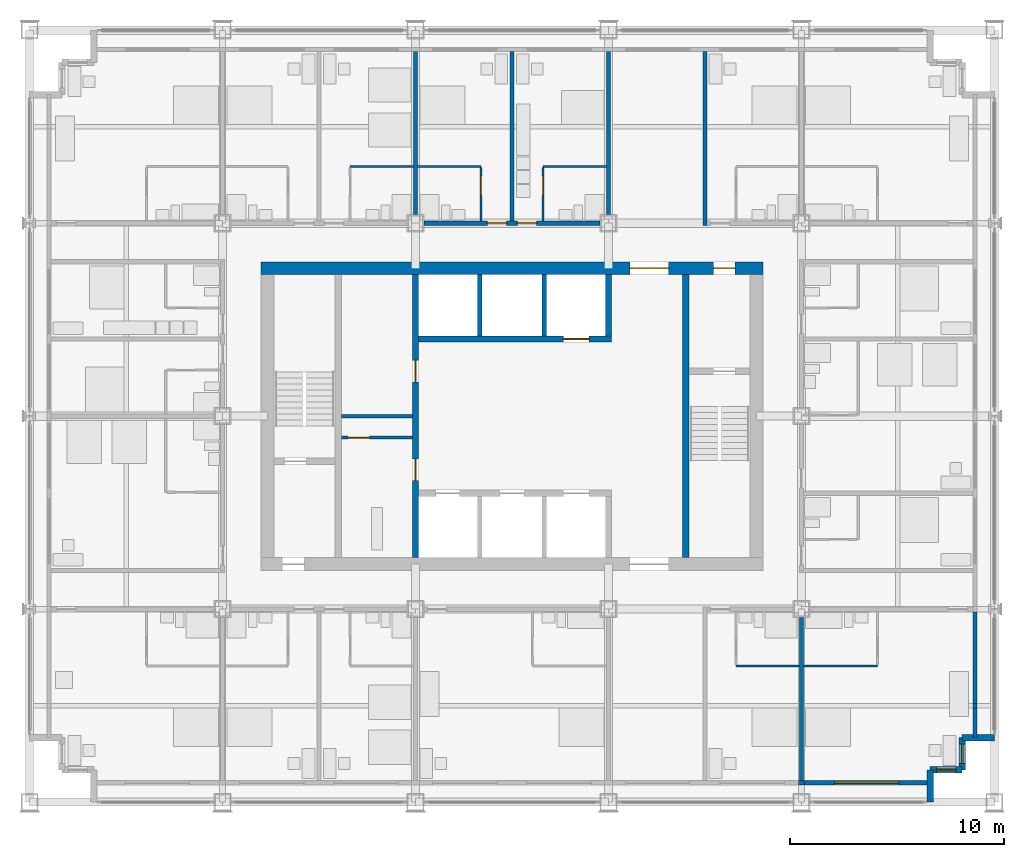
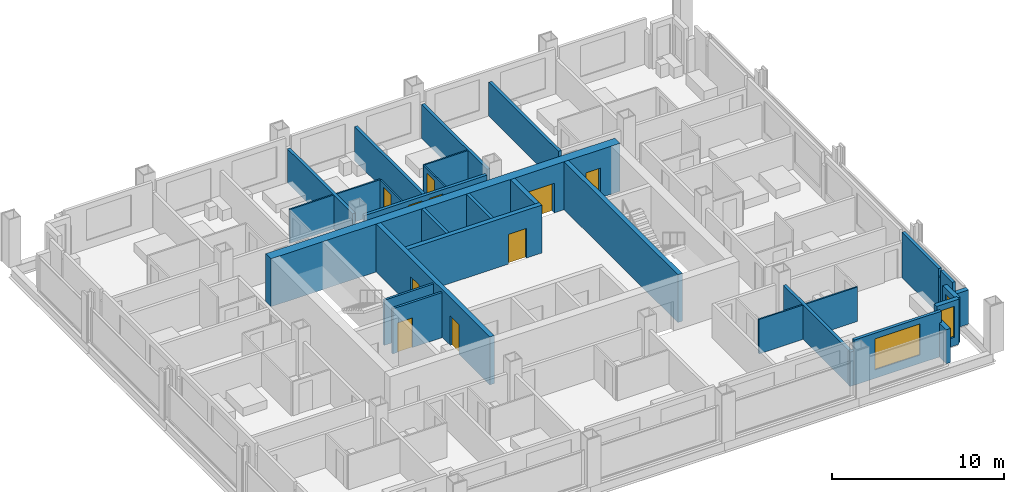
# One storey, part 11 of 17: 31 walls, 10 doors, 3 windows, 13 openings.
"""IFC4 building model written with IfcOpenShell, lengths in metres."""

from ifc_helpers import new_model, si_unit, direction, frame, frame_2d, origin, place, context, subcontext, project, spatial, rectangle, extrude, material, layer, layer_set, type_object, element, fill, save


model = new_model("IFC4")

# Units and contexts
model_context = context("Model", 3, precision=1e-05, world=origin(), true_north=direction((0.0, 1.0)))
body_context = subcontext(model_context, "Body", "Model", "MODEL_VIEW")
ifc_project = project(units=[si_unit("LENGTHUNIT", "METRE"), si_unit("AREAUNIT", "SQUARE_METRE"), si_unit("VOLUMEUNIT", "CUBIC_METRE"), si_unit("PLANEANGLEUNIT", "RADIAN"), si_unit("MASSUNIT", "GRAM", prefix="KILO")], contexts=[model_context])

# Site, building, storey
site_placement = place(None, origin())
site = spatial("IfcSite", under=ifc_project, at=site_placement, CompositionType="ELEMENT")
building_placement = place(site_placement, origin())
building = spatial("IfcBuilding", under=site, at=building_placement, Name="Loomwork Tower", CompositionType="ELEMENT")
storey_placement = place(building_placement, frame((0.0, 0.0, 138.39990234375)))
storey = spatial("IfcBuildingStorey", under=building, at=storey_placement, Name="L37", CompositionType="ELEMENT", Elevation=138.39990234375)

# Wall, openings, doors
ifc_material_1 = material(Name="Concrete 14000 psi (97 MPa)", Category="concrete")
ifc_layer_1 = layer(ifc_material_1, 0.300048828125)
ifc_layer_set_1 = layer_set([ifc_layer_1], Name="Core shear wall 300")
wall_type_1 = type_object("IfcWallType", Name="Core shear wall 300", PredefinedType="SHEAR", material=ifc_layer_set_1)
wall_1_placement = place(storey_placement, frame((18.0, 11.39990234375, 0.0), z_axis=(0.0, 0.0, 1.0), x_axis=(0.0, 1.0, 0.0)))
wall_1 = element("IfcWall", 1, at=wall_1_placement, inside=storey, type_object=wall_type_1, Name="Lobby west wall L37", PredefinedType="SHEAR", context=body_context, shape_type="SweptSolid", body=[
    extrude(rectangle(XDim=13.2001953125, YDim=0.300048828125, at=frame_2d((6.60009765625, 0.0))), origin(), (0.0, 0.0, 1.0), 3.400146484375),
])
opening_1_placement = place(wall_1_placement, frame((3.60009765625, 0.0, 0.0)))
opening_1 = element("IfcOpeningElement", 2, at=opening_1_placement, cuts=wall_1, Name="Opening D5", PredefinedType="OPENING", context=body_context, shape_type="SweptSolid", body=[
    extrude(rectangle(XDim=1.0, YDim=2.10009765625, at=frame_2d((0.5, 1.050048828125))), frame((0.0, 0.159912109375, 0.0), z_axis=(0.0, -1.0, 0.0), x_axis=(1.0, 0.0, 0.0)), (0.0, 0.0, 1.0), 0.320068359375),
])
opening_2_placement = place(wall_1_placement, frame((8.199951171875, 0.0, 0.0)))
opening_2 = element("IfcOpeningElement", 3, at=opening_2_placement, cuts=wall_1, Name="Opening D5", PredefinedType="OPENING", context=body_context, shape_type="SweptSolid", body=[
    extrude(rectangle(XDim=1.0, YDim=2.10009765625, at=frame_2d((0.5, 1.050048828125))), frame((0.0, 0.159912109375, 0.0), z_axis=(0.0, -1.0, 0.0), x_axis=(1.0, 0.0, 0.0)), (0.0, 0.0, 1.0), 0.320068359375),
])
ifc_material_2 = material(Name="Hollow metal door and frame")
door_type_1 = type_object("IfcDoorType", Name="Service door 1000", OperationType="SINGLE_SWING_LEFT", PredefinedType="DOOR", material=ifc_material_2)
door_1_placement = place(opening_1_placement, origin())
door_1 = element("IfcDoor", 4, at=door_1_placement, inside=storey, type_object=door_type_1, Name="Back-of-house door south", OperationType="SINGLE_SWING_LEFT", OverallHeight=2.10009765625, OverallWidth=1.0, PredefinedType="DOOR", context=body_context, shape_type="SweptSolid", body=[
    extrude(rectangle(XDim=1.0, YDim=2.10009765625, at=frame_2d((0.5, 1.050048828125))), frame((0.0, 0.02490234375, 0.0), z_axis=(0.0, -1.0, 0.0), x_axis=(1.0, 0.0, 0.0)), (0.0, 0.0, 1.0), 0.050048828125),
])
fill(opening_1, door_1)
door_2_placement = place(opening_2_placement, origin())
door_2 = element("IfcDoor", 5, at=door_2_placement, inside=storey, type_object=door_type_1, Name="Back-of-house door north", OperationType="SINGLE_SWING_RIGHT", OverallHeight=2.10009765625, OverallWidth=1.0, PredefinedType="DOOR", context=body_context, shape_type="SweptSolid", body=[
    extrude(rectangle(XDim=1.0, YDim=2.10009765625, at=frame_2d((0.5, 1.050048828125))), frame((0.0, 0.02490234375, 0.0), z_axis=(0.0, -1.0, 0.0), x_axis=(1.0, 0.0, 0.0)), (0.0, 0.0, 1.0), 0.050048828125),
])
fill(opening_2, door_2)

# Wall, opening, door
wall_2_placement = place(storey_placement, frame((18.14990234375, 21.60009765625, 0.0), z_axis=(0.0, 0.0, 1.0), x_axis=(1.0, 0.0, 0.0)))
wall_2 = element("IfcWall", 6, at=wall_2_placement, inside=storey, type_object=wall_type_1, Name="Lift front wall north L37", PredefinedType="SHEAR", context=body_context, shape_type="SweptSolid", body=[
    extrude(rectangle(XDim=9.0, YDim=0.300048828125, at=frame_2d((4.5, 0.0))), origin(), (0.0, 0.0, 1.0), 3.400146484375),
])
opening_3_placement = place(wall_2_placement, frame((6.75, 0.0, 0.0)))
opening_3 = element("IfcOpeningElement", 7, at=opening_3_placement, cuts=wall_2, Name="Opening LD2", PredefinedType="OPENING", context=body_context, shape_type="SweptSolid", body=[
    extrude(rectangle(XDim=1.199951171875, YDim=2.10009765625, at=frame_2d((0.60009765625, 1.050048828125))), frame((0.0, 0.159912109375, 0.0), z_axis=(0.0, -1.0, 0.0), x_axis=(1.0, 0.0, 0.0)), (0.0, 0.0, 1.0), 0.320068359375),
])
ifc_material_3 = material(Name="Hollow metal door and frame")
door_type_2 = type_object("IfcDoorType", Name="Lift landing door 1200", OperationType="SLIDING_TO_LEFT", PredefinedType="DOOR", material=ifc_material_3)
door_3_placement = place(opening_3_placement, origin())
door_3 = element("IfcDoor", 8, at=door_3_placement, inside=storey, type_object=door_type_2, Name="Lift landing door LF2", OperationType="SLIDING_TO_LEFT", OverallHeight=2.10009765625, OverallWidth=1.199951171875, PredefinedType="DOOR", context=body_context, shape_type="SweptSolid", body=[
    extrude(rectangle(XDim=1.199951171875, YDim=2.10009765625, at=frame_2d((0.60009765625, 1.050048828125))), frame((0.0, 0.02490234375, 0.0), z_axis=(0.0, -1.0, 0.0), x_axis=(1.0, 0.0, 0.0)), (0.0, 0.0, 1.0), 0.050048828125),
])
fill(opening_3, door_3)

# Walls
wall_3_placement = place(storey_placement, frame((27.0, 21.75, 0.0), z_axis=(0.0, 0.0, 1.0), x_axis=(0.0, 1.0, 0.0)))
element("IfcWall", 9, at=wall_3_placement, inside=storey, type_object=wall_type_1, Name="Lift shaft end wall north L37", PredefinedType="SHEAR", context=body_context, shape_type="SweptSolid", body=[
    extrude(rectangle(XDim=2.85009765625, YDim=0.300048828125, at=frame_2d((1.425048828125, 0.0))), origin(), (0.0, 0.0, 1.0), 3.400146484375),
])
wall_4_placement = place(storey_placement, frame((30.60009765625, 11.39990234375, 0.0), z_axis=(0.0, 0.0, 1.0), x_axis=(0.0, 1.0, 0.0)))
element("IfcWall", 10, at=wall_4_placement, inside=storey, type_object=wall_type_1, Name="Stair B west wall L37", PredefinedType="SHEAR", context=body_context, shape_type="SweptSolid", body=[
    extrude(rectangle(XDim=13.2001953125, YDim=0.300048828125, at=frame_2d((6.60009765625, 0.0))), origin(), (0.0, 0.0, 1.0), 3.400146484375),
])

# Wall, openings, doors
ifc_material_4 = material(Name="Concrete 14000 psi (97 MPa)", Category="concrete")
ifc_layer_2 = layer(ifc_material_4, 0.60009765625)
ifc_layer_set_2 = layer_set([ifc_layer_2], Name="Core shear wall 600")
wall_type_2 = type_object("IfcWallType", Name="Core shear wall 600", PredefinedType="SHEAR", material=ifc_layer_set_2)
wall_5_placement = place(storey_placement, frame((10.800048828125, 24.89990234375, 0.0), z_axis=(0.0, 0.0, 1.0), x_axis=(1.0, 0.0, 0.0)))
wall_5 = element("IfcWall", 11, at=wall_5_placement, inside=storey, type_object=wall_type_2, Name="Core wall north L37", PredefinedType="SHEAR", context=body_context, shape_type="SweptSolid", body=[
    extrude(rectangle(XDim=23.39990234375, YDim=0.60009765625, at=frame_2d((11.699951171875, 0.0))), origin(), (0.0, 0.0, 1.0), 3.400146484375),
])
opening_4_placement = place(wall_5_placement, frame((17.199951171875, 0.0, 0.0)))
opening_4 = element("IfcOpeningElement", 12, at=opening_4_placement, cuts=wall_5, Name="Opening D6", PredefinedType="OPENING", context=body_context, shape_type="SweptSolid", body=[
    extrude(rectangle(XDim=1.800048828125, YDim=2.10009765625, at=frame_2d((0.89990234375, 1.050048828125))), frame((0.0, 0.31005859375, 0.0), z_axis=(0.0, -1.0, 0.0), x_axis=(1.0, 0.0, 0.0)), (0.0, 0.0, 1.0), 0.6201171875),
])
opening_5_placement = place(wall_5_placement, frame((21.10009765625, 0.0, 0.0)))
opening_5 = element("IfcOpeningElement", 13, at=opening_5_placement, cuts=wall_5, Name="Opening D4", PredefinedType="OPENING", context=body_context, shape_type="SweptSolid", body=[
    extrude(rectangle(XDim=1.0, YDim=2.10009765625, at=frame_2d((0.5, 1.050048828125))), frame((0.0, 0.31005859375, 0.0), z_axis=(0.0, -1.0, 0.0), x_axis=(1.0, 0.0, 0.0)), (0.0, 0.0, 1.0), 0.6201171875),
])
ifc_material_5 = material(Name="Hollow metal door and frame")
door_type_3 = type_object("IfcDoorType", Name="Lobby passage double door 1800", OperationType="DOUBLE_DOOR_SINGLE_SWING", PredefinedType="DOOR", material=ifc_material_5)
door_4_placement = place(opening_4_placement, frame((1.800048828125, 0.0, 0.0), z_axis=(0.0, 0.0, 1.0), x_axis=(-1.0, 0.0, 0.0)))
door_4 = element("IfcDoor", 14, at=door_4_placement, inside=storey, type_object=door_type_3, Name="Lobby passage door north", OperationType="DOUBLE_DOOR_SINGLE_SWING", OverallHeight=2.10009765625, OverallWidth=1.800048828125, PredefinedType="DOOR", context=body_context, shape_type="SweptSolid", body=[
    extrude(rectangle(XDim=1.800048828125, YDim=2.10009765625, at=frame_2d((0.89990234375, 1.050048828125))), frame((0.0, 0.02490234375, 0.0), z_axis=(0.0, -1.0, 0.0), x_axis=(1.0, 0.0, 0.0)), (0.0, 0.0, 1.0), 0.050048828125),
])
fill(opening_4, door_4)
ifc_material_6 = material(Name="Hollow metal door and frame")
door_type_4 = type_object("IfcDoorType", Name="Stair door 1000", OperationType="SINGLE_SWING_RIGHT", PredefinedType="DOOR", material=ifc_material_6)
door_5_placement = place(opening_5_placement, frame((1.0, 0.0, 0.0), z_axis=(0.0, 0.0, 1.0), x_axis=(-1.0, 0.0, 0.0)))
door_5 = element("IfcDoor", 15, at=door_5_placement, inside=storey, type_object=door_type_4, Name="Stair B vestibule door", OperationType="SINGLE_SWING_LEFT", OverallHeight=2.10009765625, OverallWidth=1.0, PredefinedType="DOOR", context=body_context, shape_type="SweptSolid", body=[
    extrude(rectangle(XDim=1.0, YDim=2.10009765625, at=frame_2d((0.5, 1.050048828125))), frame((0.0, 0.02490234375, 0.0), z_axis=(0.0, -1.0, 0.0), x_axis=(1.0, 0.0, 0.0)), (0.0, 0.0, 1.0), 0.050048828125),
])
fill(opening_5, door_5)

ifc_material_7 = material(Name="Gypsum board on steel studs, one-hour", Category="steel")
ifc_layer_3 = layer(ifc_material_7, 0.199951171875)
ifc_layer_set_3 = layer_set([ifc_layer_3], Name="Corridor wall 200")
wall_type_3 = type_object("IfcWallType", Name="Corridor wall 200", PredefinedType="PARTITIONING", material=ifc_layer_set_3)
wall_6_placement = place(storey_placement, frame((18.39990234375, 27.0, 0.0), z_axis=(0.0, 0.0, 1.0), x_axis=(1.0, 0.0, 0.0)))
wall_6 = element("IfcWall", 16, at=wall_6_placement, inside=storey, type_object=wall_type_3, Name="North corridor wall 3", PredefinedType="PARTITIONING", context=body_context, shape_type="SweptSolid", body=[
    extrude(rectangle(XDim=8.2001953125, YDim=0.199951171875, at=frame_2d((4.10009765625, 0.0))), origin(), (0.0, 0.0, 1.0), 2.405029296875),
])
opening_6_placement = place(wall_6_placement, frame((2.949951171875, 0.0, 0.0)))
opening_6 = element("IfcOpeningElement", 17, at=opening_6_placement, cuts=wall_6, Name="Opening D1", PredefinedType="OPENING", context=body_context, shape_type="SweptSolid", body=[
    extrude(rectangle(XDim=0.89990234375, YDim=2.10009765625, at=frame_2d((0.449951171875, 1.050048828125))), frame((0.0, 0.10986328125, 0.0), z_axis=(0.0, -1.0, 0.0), x_axis=(1.0, 0.0, 0.0)), (0.0, 0.0, 1.0), 0.219970703125),
])
opening_7_placement = place(wall_6_placement, frame((4.35009765625, 0.0, 0.0)))
opening_7 = element("IfcOpeningElement", 18, at=opening_7_placement, cuts=wall_6, Name="Opening D1", PredefinedType="OPENING", context=body_context, shape_type="SweptSolid", body=[
    extrude(rectangle(XDim=0.89990234375, YDim=2.10009765625, at=frame_2d((0.449951171875, 1.050048828125))), frame((0.0, 0.10986328125, 0.0), z_axis=(0.0, -1.0, 0.0), x_axis=(1.0, 0.0, 0.0)), (0.0, 0.0, 1.0), 0.219970703125),
])
ifc_material_8 = material(Name="Hollow metal door and frame")
door_type_5 = type_object("IfcDoorType", Name="Guest room entry door 900", OperationType="SINGLE_SWING_LEFT", PredefinedType="DOOR", material=ifc_material_8)
door_6_placement = place(opening_6_placement, origin())
door_6 = element("IfcDoor", 19, at=door_6_placement, inside=storey, type_object=door_type_5, Name="Guest room entry door L37 10", OperationType="SINGLE_SWING_RIGHT", OverallHeight=2.10009765625, OverallWidth=0.89990234375, PredefinedType="DOOR", context=body_context, shape_type="SweptSolid", body=[
    extrude(rectangle(XDim=0.89990234375, YDim=2.10009765625, at=frame_2d((0.449951171875, 1.050048828125))), frame((0.0, 0.02490234375, 0.0), z_axis=(0.0, -1.0, 0.0), x_axis=(1.0, 0.0, 0.0)), (0.0, 0.0, 1.0), 0.050048828125),
])
fill(opening_6, door_6)
door_7_placement = place(opening_7_placement, origin())
door_7 = element("IfcDoor", 20, at=door_7_placement, inside=storey, type_object=door_type_5, Name="Guest room entry door L37 11", OperationType="SINGLE_SWING_LEFT", OverallHeight=2.10009765625, OverallWidth=0.89990234375, PredefinedType="DOOR", context=body_context, shape_type="SweptSolid", body=[
    extrude(rectangle(XDim=0.89990234375, YDim=2.10009765625, at=frame_2d((0.449951171875, 1.050048828125))), frame((0.0, 0.02490234375, 0.0), z_axis=(0.0, -1.0, 0.0), x_axis=(1.0, 0.0, 0.0)), (0.0, 0.0, 1.0), 0.050048828125),
])
fill(opening_7, door_7)

# Walls
ifc_material_9 = material(Name="Cement board on steel studs", Category="steel")
ifc_layer_4 = layer(ifc_material_9, 0.10009765625)
ifc_layer_set_4 = layer_set([ifc_layer_4], Name="En-suite partition 100")
wall_type_4 = type_object("IfcWallType", Name="En-suite partition 100", PredefinedType="PARTITIONING", material=ifc_layer_set_4)
wall_7_placement = place(storey_placement, frame((32.949951171875, 6.35009765625, 0.0), z_axis=(0.0, 0.0, 1.0), x_axis=(1.0, 0.0, 0.0)))
element("IfcWall", 21, at=wall_7_placement, inside=storey, type_object=wall_type_4, Name="En-suite wall L37 room 5", PredefinedType="PARTITIONING", context=body_context, shape_type="SweptSolid", body=[
    extrude(rectangle(XDim=2.949951171875, YDim=0.10009765625, at=frame_2d((1.47509765625, 0.0))), origin(), (0.0, 0.0, 1.0), 2.43798828125),
])
wall_8_placement = place(storey_placement, frame((36.10009765625, 6.35009765625, 0.0), z_axis=(0.0, 0.0, 1.0), x_axis=(1.0, 0.0, 0.0)))
element("IfcWall", 22, at=wall_8_placement, inside=storey, type_object=wall_type_4, Name="En-suite wall L37 room 6", PredefinedType="PARTITIONING", context=body_context, shape_type="SweptSolid", body=[
    extrude(rectangle(XDim=3.449951171875, YDim=0.10009765625, at=frame_2d((1.72509765625, 0.0))), origin(), (0.0, 0.0, 1.0), 2.43798828125),
])
for number, where, z_axis, x_axis, name in (
    (23, (14.949951171875, 29.64990234375, 0.0), (0.0, 0.0, 1.0), (1.0, 0.0, 0.0), "En-suite wall L37 room 9"),
    (24, (18.10009765625, 29.64990234375, 0.0), (0.0, 0.0, 1.0), (1.0, 0.0, 0.0), "En-suite wall L37 room 10"),
):
    element("IfcWall", number, at=place(storey_placement, frame(where, z_axis=z_axis, x_axis=x_axis)), inside=storey, type_object=wall_type_4, Name=name, PredefinedType="PARTITIONING", context=body_context, shape_type="SweptSolid", body=[
        extrude(rectangle(XDim=2.949951171875, YDim=0.10009765625, at=frame_2d((1.47509765625, 0.0))), origin(), (0.0, 0.0, 1.0), 2.404052734375),
    ])

# Wall, opening, door
wall_9_placement = place(storey_placement, frame((21.050048828125, 27.10009765625, 0.0), z_axis=(0.0, 0.0, 1.0), x_axis=(0.0, 1.0, 0.0)))
wall_9 = element("IfcWall", 25, at=wall_9_placement, inside=storey, type_object=wall_type_4, Name="En-suite side wall L37 room 10", PredefinedType="PARTITIONING", context=body_context, shape_type="SweptSolid", body=[
    extrude(rectangle(XDim=2.5, YDim=0.10009765625, at=frame_2d((1.25, 0.0))), origin(), (0.0, 0.0, 1.0), 2.404052734375),
])
opening_8_placement = place(wall_9_placement, frame((1.199951171875, 0.0, 0.0)))
opening_8 = element("IfcOpeningElement", 26, at=opening_8_placement, cuts=wall_9, Name="Opening D2", PredefinedType="OPENING", context=body_context, shape_type="SweptSolid", body=[
    extrude(rectangle(XDim=0.89990234375, YDim=2.10009765625, at=frame_2d((0.449951171875, 1.050048828125))), frame((0.0, 0.06005859375, 0.0), z_axis=(0.0, -1.0, 0.0), x_axis=(1.0, 0.0, 0.0)), (0.0, 0.0, 1.0), 0.1201171875),
])
ifc_material_10 = material(Name="Hollow metal door and frame")
door_type_6 = type_object("IfcDoorType", Name="En-suite door 900", OperationType="SINGLE_SWING_LEFT", PredefinedType="DOOR", material=ifc_material_10)
door_8_placement = place(opening_8_placement, origin())
door_8 = element("IfcDoor", 27, at=door_8_placement, inside=storey, type_object=door_type_6, Name="En-suite door room 10", OperationType="SINGLE_SWING_RIGHT", OverallHeight=2.10009765625, OverallWidth=0.89990234375, PredefinedType="DOOR", context=body_context, shape_type="SweptSolid", body=[
    extrude(rectangle(XDim=0.89990234375, YDim=2.10009765625, at=frame_2d((0.449951171875, 1.050048828125))), frame((0.0, 0.02490234375, 0.0), z_axis=(0.0, -1.0, 0.0), x_axis=(1.0, 0.0, 0.0)), (0.0, 0.0, 1.0), 0.050048828125),
])
fill(opening_8, door_8)

# Wall
wall_10_placement = place(storey_placement, frame((23.949951171875, 29.64990234375, 0.0), z_axis=(0.0, 0.0, 1.0), x_axis=(1.0, 0.0, 0.0)))
element("IfcWall", 28, at=wall_10_placement, inside=storey, type_object=wall_type_4, Name="En-suite wall L37 room 11", PredefinedType="PARTITIONING", context=body_context, shape_type="SweptSolid", body=[
    extrude(rectangle(XDim=2.949951171875, YDim=0.10009765625, at=frame_2d((1.47509765625, 0.0))), origin(), (0.0, 0.0, 1.0), 2.404052734375),
])

# Wall, opening, door
wall_11_placement = place(storey_placement, frame((23.949951171875, 27.10009765625, 0.0), z_axis=(0.0, 0.0, 1.0), x_axis=(0.0, 1.0, 0.0)))
wall_11 = element("IfcWall", 29, at=wall_11_placement, inside=storey, type_object=wall_type_4, Name="En-suite side wall L37 room 11", PredefinedType="PARTITIONING", context=body_context, shape_type="SweptSolid", body=[
    extrude(rectangle(XDim=2.5, YDim=0.10009765625, at=frame_2d((1.25, 0.0))), origin(), (0.0, 0.0, 1.0), 2.404052734375),
])
opening_9_placement = place(wall_11_placement, frame((1.199951171875, 0.0, 0.0)))
opening_9 = element("IfcOpeningElement", 30, at=opening_9_placement, cuts=wall_11, Name="Opening D2", PredefinedType="OPENING", context=body_context, shape_type="SweptSolid", body=[
    extrude(rectangle(XDim=0.89990234375, YDim=2.10009765625, at=frame_2d((0.449951171875, 1.050048828125))), frame((0.0, 0.06005859375, 0.0), z_axis=(0.0, -1.0, 0.0), x_axis=(1.0, 0.0, 0.0)), (0.0, 0.0, 1.0), 0.1201171875),
])
door_9_placement = place(opening_9_placement, frame((0.89990234375, 0.0, 0.0), z_axis=(0.0, 0.0, 1.0), x_axis=(-1.0, 0.0, 0.0)))
door_9 = element("IfcDoor", 31, at=door_9_placement, inside=storey, type_object=door_type_6, Name="En-suite door room 11", OperationType="SINGLE_SWING_LEFT", OverallHeight=2.10009765625, OverallWidth=0.89990234375, PredefinedType="DOOR", context=body_context, shape_type="SweptSolid", body=[
    extrude(rectangle(XDim=0.89990234375, YDim=2.10009765625, at=frame_2d((0.449951171875, 1.050048828125))), frame((0.0, 0.02490234375, 0.0), z_axis=(0.0, -1.0, 0.0), x_axis=(1.0, 0.0, 0.0)), (0.0, 0.0, 1.0), 0.050048828125),
])
fill(opening_9, door_9)

# Walls
ifc_material_11 = material(Name="Gypsum board on steel studs, acoustic", Category="steel")
ifc_layer_5 = layer(ifc_material_11, 0.199951171875)
ifc_layer_set_5 = layer_set([ifc_layer_5], Name="Guest room party wall 200")
wall_type_5 = type_object("IfcWallType", Name="Guest room party wall 200", PredefinedType="PARTITIONING", material=ifc_layer_set_5)
wall_12_placement = place(storey_placement, frame((36.0, 8.60009765625, 0.0), z_axis=(0.0, 0.0, 1.0), x_axis=(0.0, -1.0, 0.0)))
element("IfcWall", 32, at=wall_12_placement, inside=storey, type_object=wall_type_5, Name="Guest room party wall S 36", PredefinedType="PARTITIONING", context=body_context, shape_type="SweptSolid", body=[
    extrude(rectangle(XDim=7.60009765625, YDim=0.199951171875, at=frame_2d((3.800048828125, 0.0))), origin(), (0.0, 0.0, 1.0), 2.43798828125),
])
wall_13_placement = place(storey_placement, frame((18.0, 27.39990234375, 0.0), z_axis=(0.0, 0.0, 1.0), x_axis=(0.0, 1.0, 0.0)))
element("IfcWall", 33, at=wall_13_placement, inside=storey, type_object=wall_type_5, Name="Guest room party wall N 18", PredefinedType="PARTITIONING", context=body_context, shape_type="SweptSolid", body=[
    extrude(rectangle(XDim=7.60009765625, YDim=0.199951171875, at=frame_2d((3.800048828125, 0.0))), origin(), (0.0, 0.0, 1.0), 2.405029296875),
])
wall_14_placement = place(storey_placement, frame((22.5, 27.10009765625, 0.0), z_axis=(0.0, 0.0, 1.0), x_axis=(0.0, 1.0, 0.0)))
element("IfcWall", 34, at=wall_14_placement, inside=storey, type_object=wall_type_5, Name="Guest room party wall N 22.5", PredefinedType="PARTITIONING", context=body_context, shape_type="SweptSolid", body=[
    extrude(rectangle(XDim=7.89990234375, YDim=0.199951171875, at=frame_2d((3.949951171875, 0.0))), origin(), (0.0, 0.0, 1.0), 2.404052734375),
])
wall_15_placement = place(storey_placement, frame((27.0, 27.39990234375, 0.0), z_axis=(0.0, 0.0, 1.0), x_axis=(0.0, 1.0, 0.0)))
element("IfcWall", 35, at=wall_15_placement, inside=storey, type_object=wall_type_5, Name="Guest room party wall N 27", PredefinedType="PARTITIONING", context=body_context, shape_type="SweptSolid", body=[
    extrude(rectangle(XDim=7.60009765625, YDim=0.199951171875, at=frame_2d((3.800048828125, 0.0))), origin(), (0.0, 0.0, 1.0), 2.405029296875),
])
wall_16_placement = place(storey_placement, frame((31.5, 26.89990234375, 0.0), z_axis=(0.0, 0.0, 1.0), x_axis=(0.0, 1.0, 0.0)))
element("IfcWall", 36, at=wall_16_placement, inside=storey, type_object=wall_type_5, Name="Guest room party wall N 31.5", PredefinedType="PARTITIONING", context=body_context, shape_type="SweptSolid", body=[
    extrude(rectangle(XDim=8.10009765625, YDim=0.199951171875, at=frame_2d((4.050048828125, 0.0))), origin(), (0.0, 0.0, 1.0), 2.404052734375),
])
ifc_material_12 = material(Name="Insulated steel stud wall with gypsum lining", Category="steel")
ifc_layer_6 = layer(ifc_material_12, 0.199951171875)
ifc_layer_set_6 = layer_set([ifc_layer_6], Name="Inner skin wall 200")
wall_type_6 = type_object("IfcWallType", Name="Inner skin wall 200", PredefinedType="SOLIDWALL", material=ifc_layer_set_6)
wall_17_placement = place(storey_placement, frame((44.10009765625, 3.0, 0.0), z_axis=(0.0, 0.0, 1.0), x_axis=(0.0, 1.0, 0.0)))
element("IfcWall", 37, at=wall_17_placement, inside=storey, type_object=wall_type_6, Name="Inner skin wall E", PredefinedType="SOLIDWALL", context=body_context, shape_type="SweptSolid", body=[
    extrude(rectangle(XDim=1.392578125, YDim=0.199951171875, at=frame_2d((0.6962890625, 0.0))), origin(), (0.0, 0.0, 1.0), 3.2001953125),
])
wall_18_placement = place(storey_placement, frame((35.864501953125, 0.89990234375, 0.0), z_axis=(0.0, 0.0, 1.0), x_axis=(1.0, 0.0, 0.0)))
element("IfcWall", 38, at=wall_18_placement, inside=storey, type_object=wall_type_6, Name="Inner skin wall S bay 8", PredefinedType="SOLIDWALL", context=body_context, shape_type="SweptSolid", body=[
    extrude(rectangle(XDim=0.27099609375, YDim=0.199951171875, at=frame_2d((0.135498046875, 0.0))), origin(), (0.0, 0.0, 1.0), 2.43798828125),
])

# Wall, opening, window
wall_19_placement = place(storey_placement, frame((36.135498046875, 0.89990234375, 0.0), z_axis=(0.0, 0.0, 1.0), x_axis=(1.0, 0.0, 0.0)))
wall_19 = element("IfcWall", 39, at=wall_19_placement, inside=storey, type_object=wall_type_6, Name="Inner skin wall S bay 9", PredefinedType="SOLIDWALL", context=body_context, shape_type="SweptSolid", body=[
    extrude(rectangle(XDim=5.864501953125, YDim=0.199951171875, at=frame_2d((2.93212890625, 0.0))), origin(), (0.0, 0.0, 1.0), 3.2001953125),
])
opening_10_placement = place(wall_19_placement, frame((1.41455078125, 0.0, 0.60009765625)))
opening_10 = element("IfcOpeningElement", 40, at=opening_10_placement, cuts=wall_19, Name="Opening CH1", PredefinedType="OPENING", context=body_context, shape_type="SweptSolid", body=[
    extrude(rectangle(XDim=3.0, YDim=2.199951171875, at=frame_2d((1.5, 1.10009765625))), frame((0.0, 0.10986328125, 0.0), z_axis=(0.0, -1.0, 0.0), x_axis=(1.0, 0.0, 0.0)), (0.0, 0.0, 1.0), 0.219970703125),
])
ifc_material_13 = material(Name="Aluminium frame with clear insulated glass", Category="aluminium")
window_type_1 = type_object("IfcWindowType", Name="Chicago window 3000", PartitioningType="TRIPLE_PANEL_VERTICAL", PredefinedType="WINDOW", material=ifc_material_13)
window_1_placement = place(opening_10_placement, origin())
window_1 = element("IfcWindow", 41, at=window_1_placement, inside=storey, type_object=window_type_1, Name="Chicago window L37 bay 5", OverallHeight=2.199951171875, OverallWidth=3.0, PartitioningType="TRIPLE_PANEL_VERTICAL", PredefinedType="WINDOW", context=body_context, shape_type="SweptSolid", body=[
    extrude(rectangle(XDim=3.0, YDim=2.199951171875, at=frame_2d((1.5, 1.10009765625))), frame((0.0, 0.030029296875, 0.0), z_axis=(0.0, -1.0, 0.0), x_axis=(1.0, 0.0, 0.0)), (0.0, 0.0, 1.0), 0.06005859375),
])
fill(opening_10, window_1)

# Walls
wall_20_placement = place(storey_placement, frame((44.10009765625, 4.392578125, 0.0), z_axis=(0.0, 0.0, 1.0), x_axis=(0.0, 1.0, 0.0)))
element("IfcWall", 42, at=wall_20_placement, inside=storey, type_object=wall_type_6, Name="Inner skin wall E bay 2", PredefinedType="SOLIDWALL", context=body_context, shape_type="SweptSolid", body=[
    extrude(rectangle(XDim=0.21484375, YDim=0.199951171875, at=frame_2d((0.107421875, 0.0))), origin(), (0.0, 0.0, 1.0), 2.6611328125),
])
wall_21_placement = place(storey_placement, frame((44.10009765625, 4.607421875, 0.0), z_axis=(0.0, 0.0, 1.0), x_axis=(0.0, 1.0, 0.0)))
element("IfcWall", 43, at=wall_21_placement, inside=storey, type_object=wall_type_6, Name="Inner skin wall E bay 3", PredefinedType="SOLIDWALL", context=body_context, shape_type="SweptSolid", body=[
    extrude(rectangle(XDim=4.25732421875, YDim=0.199951171875, at=frame_2d((2.128662109375, 0.0))), origin(), (0.0, 0.0, 1.0), 3.2001953125),
])
ifc_material_14 = material(Name="Concrete 14000 psi (97 MPa)", Category="concrete")
ifc_layer_7 = layer(ifc_material_14, 0.199951171875)
ifc_layer_set_7 = layer_set([ifc_layer_7], Name="Lift shaft wall 200")
wall_type_7 = type_object("IfcWallType", Name="Lift shaft wall 200", PredefinedType="SHEAR", material=ifc_layer_set_7)
for number, where, z_axis, x_axis, name in (
    (44, (21.0, 21.75, 0.0), (0.0, 0.0, 1.0), (0.0, 1.0, 0.0), "Lift shaft separation wall north 1 L37"),
    (45, (24.0, 21.75, 0.0), (0.0, 0.0, 1.0), (0.0, 1.0, 0.0), "Lift shaft separation wall north 2 L37"),
):
    element("IfcWall", number, at=place(storey_placement, frame(where, z_axis=z_axis, x_axis=x_axis)), inside=storey, type_object=wall_type_7, Name=name, PredefinedType="SHEAR", context=body_context, shape_type="SweptSolid", body=[
        extrude(rectangle(XDim=2.85009765625, YDim=0.199951171875, at=frame_2d((1.425048828125, 0.0))), origin(), (0.0, 0.0, 1.0), 3.400146484375),
    ])
ifc_material_15 = material(Name="Limestone on concrete masonry", Category="masonry")
ifc_layer_8 = layer(ifc_material_15, 0.300048828125)
ifc_layer_set_8 = layer_set([ifc_layer_8], Name="Limestone corner wall 300")
wall_type_8 = type_object("IfcWallType", Name="Limestone corner wall 300", PredefinedType="SOLIDWALL", material=ifc_layer_set_8)
wall_22_placement = place(storey_placement, frame((42.0, 0.0, 0.0), z_axis=(0.0, 0.0, 1.0), x_axis=(0.0, 1.0, 0.0)))
element("IfcWall", 46, at=wall_22_placement, inside=storey, type_object=wall_type_8, Name="Stone corner wall SE 1", PredefinedType="SOLIDWALL", context=body_context, shape_type="SweptSolid", body=[
    extrude(rectangle(XDim=1.5, YDim=0.300048828125, at=frame_2d((0.75, 0.0))), origin(), (0.0, 0.0, 1.0), 2.420166015625),
])

# Wall, opening, window
wall_23_placement = place(storey_placement, frame((42.0, 1.5, 0.0), z_axis=(0.0, 0.0, 1.0), x_axis=(1.0, 0.0, 0.0)))
wall_23 = element("IfcWall", 47, at=wall_23_placement, inside=storey, type_object=wall_type_8, Name="Stone corner wall SE 2", PredefinedType="SOLIDWALL", context=body_context, shape_type="SweptSolid", body=[
    extrude(rectangle(XDim=1.5, YDim=0.300048828125, at=frame_2d((0.75, 0.0))), origin(), (0.0, 0.0, 1.0), 3.2001953125),
])
opening_11_placement = place(wall_23_placement, frame((0.300048828125, 0.0, 0.60009765625)))
opening_11 = element("IfcOpeningElement", 48, at=opening_11_placement, cuts=wall_23, Name="Opening CH2", PredefinedType="OPENING", context=body_context, shape_type="SweptSolid", body=[
    extrude(rectangle(XDim=0.89990234375, YDim=2.199951171875, at=frame_2d((0.449951171875, 1.10009765625))), frame((0.0, 0.159912109375, 0.0), z_axis=(0.0, -1.0, 0.0), x_axis=(1.0, 0.0, 0.0)), (0.0, 0.0, 1.0), 0.320068359375),
])
ifc_material_16 = material(Name="Aluminium frame with clear insulated glass", Category="aluminium")
window_type_2 = type_object("IfcWindowType", Name="Corner window 900", PartitioningType="SINGLE_PANEL", PredefinedType="WINDOW", material=ifc_material_16)
window_2_placement = place(opening_11_placement, origin())
window_2 = element("IfcWindow", 49, at=window_2_placement, inside=storey, type_object=window_type_2, Name="Corner window SE", OverallHeight=2.199951171875, OverallWidth=0.89990234375, PartitioningType="SINGLE_PANEL", PredefinedType="WINDOW", context=body_context, shape_type="SweptSolid", body=[
    extrude(rectangle(XDim=0.89990234375, YDim=2.199951171875, at=frame_2d((0.449951171875, 1.10009765625))), frame((0.0, 0.030029296875, 0.0), z_axis=(0.0, -1.0, 0.0), x_axis=(1.0, 0.0, 0.0)), (0.0, 0.0, 1.0), 0.06005859375),
])
fill(opening_11, window_2)

wall_24_placement = place(storey_placement, frame((43.5, 1.5, 0.0), z_axis=(0.0, 0.0, 1.0), x_axis=(0.0, 1.0, 0.0)))
wall_24 = element("IfcWall", 50, at=wall_24_placement, inside=storey, type_object=wall_type_8, Name="Stone corner wall SE 3", PredefinedType="SOLIDWALL", context=body_context, shape_type="SweptSolid", body=[
    extrude(rectangle(XDim=1.5, YDim=0.300048828125, at=frame_2d((0.75, 0.0))), origin(), (0.0, 0.0, 1.0), 3.2001953125),
])
opening_12_placement = place(wall_24_placement, frame((0.300048828125, 0.0, 0.60009765625)))
opening_12 = element("IfcOpeningElement", 51, at=opening_12_placement, cuts=wall_24, Name="Opening CH2", PredefinedType="OPENING", context=body_context, shape_type="SweptSolid", body=[
    extrude(rectangle(XDim=0.89990234375, YDim=2.199951171875, at=frame_2d((0.449951171875, 1.10009765625))), frame((0.0, 0.159912109375, 0.0), z_axis=(0.0, -1.0, 0.0), x_axis=(1.0, 0.0, 0.0)), (0.0, 0.0, 1.0), 0.320068359375),
])
window_3_placement = place(opening_12_placement, origin())
window_3 = element("IfcWindow", 52, at=window_3_placement, inside=storey, type_object=window_type_2, Name="Corner window SE", OverallHeight=2.199951171875, OverallWidth=0.89990234375, PartitioningType="SINGLE_PANEL", PredefinedType="WINDOW", context=body_context, shape_type="SweptSolid", body=[
    extrude(rectangle(XDim=0.89990234375, YDim=2.199951171875, at=frame_2d((0.449951171875, 1.10009765625))), frame((0.0, 0.030029296875, 0.0), z_axis=(0.0, -1.0, 0.0), x_axis=(1.0, 0.0, 0.0)), (0.0, 0.0, 1.0), 0.06005859375),
])
fill(opening_12, window_3)

# Walls
wall_25_placement = place(storey_placement, frame((43.5, 3.0, 0.0), z_axis=(0.0, 0.0, 1.0), x_axis=(1.0, 0.0, 0.0)))
element("IfcWall", 53, at=wall_25_placement, inside=storey, type_object=wall_type_8, Name="Stone corner wall SE 4", PredefinedType="SOLIDWALL", context=body_context, shape_type="SweptSolid", body=[
    extrude(rectangle(XDim=1.5, YDim=0.300048828125, at=frame_2d((0.75, 0.0))), origin(), (0.0, 0.0, 1.0), 2.420166015625),
])
ifc_material_17 = material(Name="Gypsum board on steel studs", Category="steel")
ifc_layer_9 = layer(ifc_material_17, 0.14990234375)
ifc_layer_set_9 = layer_set([ifc_layer_9], Name="Partition 150 two-hour")
wall_type_9 = type_object("IfcWallType", Name="Partition 150 two-hour", PredefinedType="PARTITIONING", material=ifc_layer_set_9)
wall_26_placement = place(storey_placement, frame((14.550048828125, 18.0, 0.0), z_axis=(0.0, 0.0, 1.0), x_axis=(1.0, 0.0, 0.0)))
element("IfcWall", 54, at=wall_26_placement, inside=storey, type_object=wall_type_9, Name="Back-of-house dividing wall L37", PredefinedType="PARTITIONING", context=body_context, shape_type="SweptSolid", body=[
    extrude(rectangle(XDim=3.300048828125, YDim=0.14990234375, at=frame_2d((1.64990234375, 0.0))), origin(), (0.0, 0.0, 1.0), 3.2001953125),
])

# Wall, opening, door
ifc_material_18 = material(Name="Gypsum board on steel studs, one-hour", Category="steel")
ifc_layer_10 = layer(ifc_material_18, 0.14990234375)
ifc_layer_set_10 = layer_set([ifc_layer_10], Name="Service partition 150")
wall_type_10 = type_object("IfcWallType", Name="Service partition 150", PredefinedType="PARTITIONING", material=ifc_layer_set_10)
wall_27_placement = place(storey_placement, frame((14.550048828125, 17.0, 0.0), z_axis=(0.0, 0.0, 1.0), x_axis=(1.0, 0.0, 0.0)))
wall_27 = element("IfcWall", 55, at=wall_27_placement, inside=storey, type_object=wall_type_10, Name="Riser enclosure L37", PredefinedType="PARTITIONING", context=body_context, shape_type="SweptSolid", body=[
    extrude(rectangle(XDim=3.300048828125, YDim=0.14990234375, at=frame_2d((1.64990234375, 0.0))), origin(), (0.0, 0.0, 1.0), 3.2001953125),
])
opening_13_placement = place(wall_27_placement, frame((0.300048828125, 0.0, 0.0)))
opening_13 = element("IfcOpeningElement", 56, at=opening_13_placement, cuts=wall_27, Name="Opening D18", PredefinedType="OPENING", context=body_context, shape_type="SweptSolid", body=[
    extrude(rectangle(XDim=1.0, YDim=2.10009765625, at=frame_2d((0.5, 1.050048828125))), frame((0.0, 0.0849609375, 0.0), z_axis=(0.0, -1.0, 0.0), x_axis=(1.0, 0.0, 0.0)), (0.0, 0.0, 1.0), 0.169921875),
])
ifc_material_19 = material(Name="Hollow metal door and frame")
door_type_7 = type_object("IfcDoorType", Name="Ninety-minute service door 1000", OperationType="SINGLE_SWING_LEFT", PredefinedType="DOOR", material=ifc_material_19)
door_10_placement = place(opening_13_placement, frame((1.0, 0.0, 0.0), z_axis=(0.0, 0.0, 1.0), x_axis=(-1.0, 0.0, 0.0)))
door_10 = element("IfcDoor", 57, at=door_10_placement, inside=storey, type_object=door_type_7, Name="Riser access door", OperationType="SINGLE_SWING_RIGHT", OverallHeight=2.10009765625, OverallWidth=1.0, PredefinedType="DOOR", context=body_context, shape_type="SweptSolid", body=[
    extrude(rectangle(XDim=1.0, YDim=2.10009765625, at=frame_2d((0.5, 1.050048828125))), frame((0.0, 0.02490234375, 0.0), z_axis=(0.0, -1.0, 0.0), x_axis=(1.0, 0.0, 0.0)), (0.0, 0.0, 1.0), 0.050048828125),
])
fill(opening_13, door_10)

save(model, "model.ifc")
